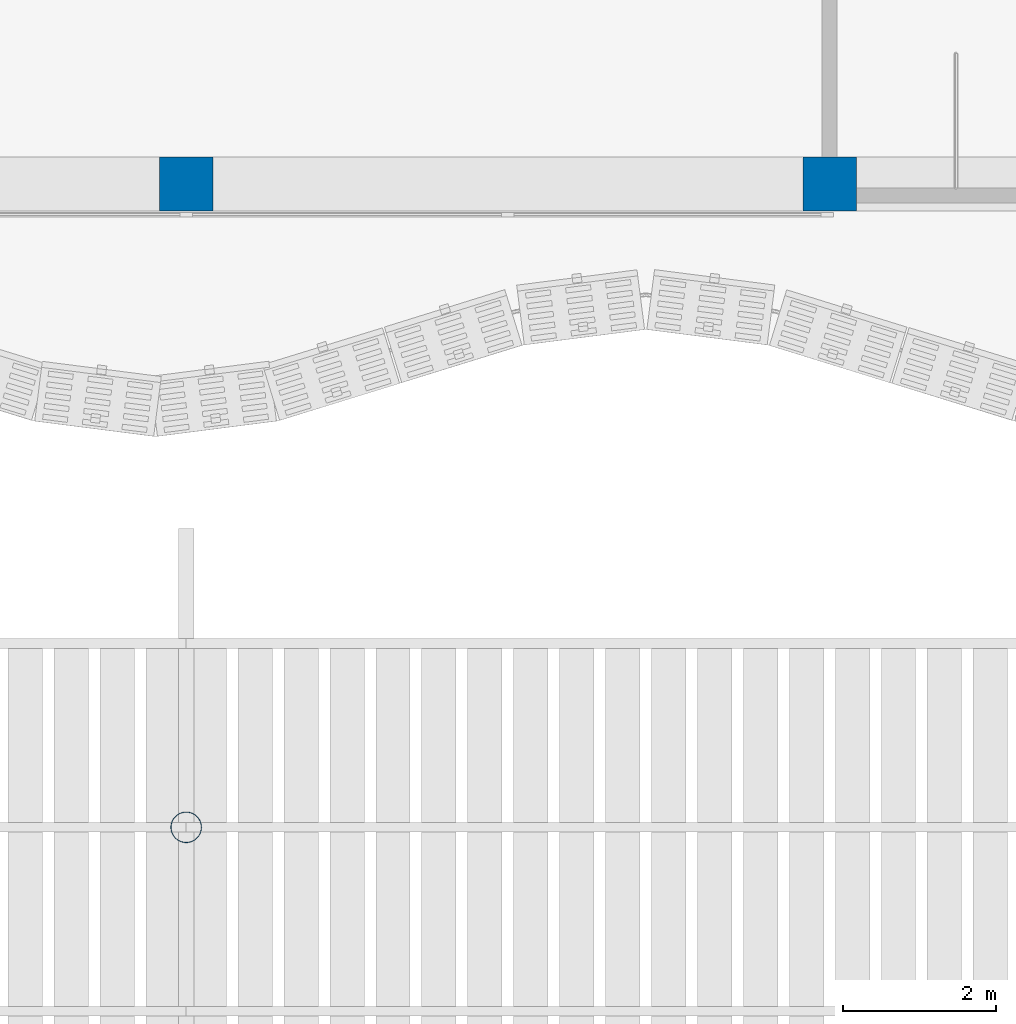
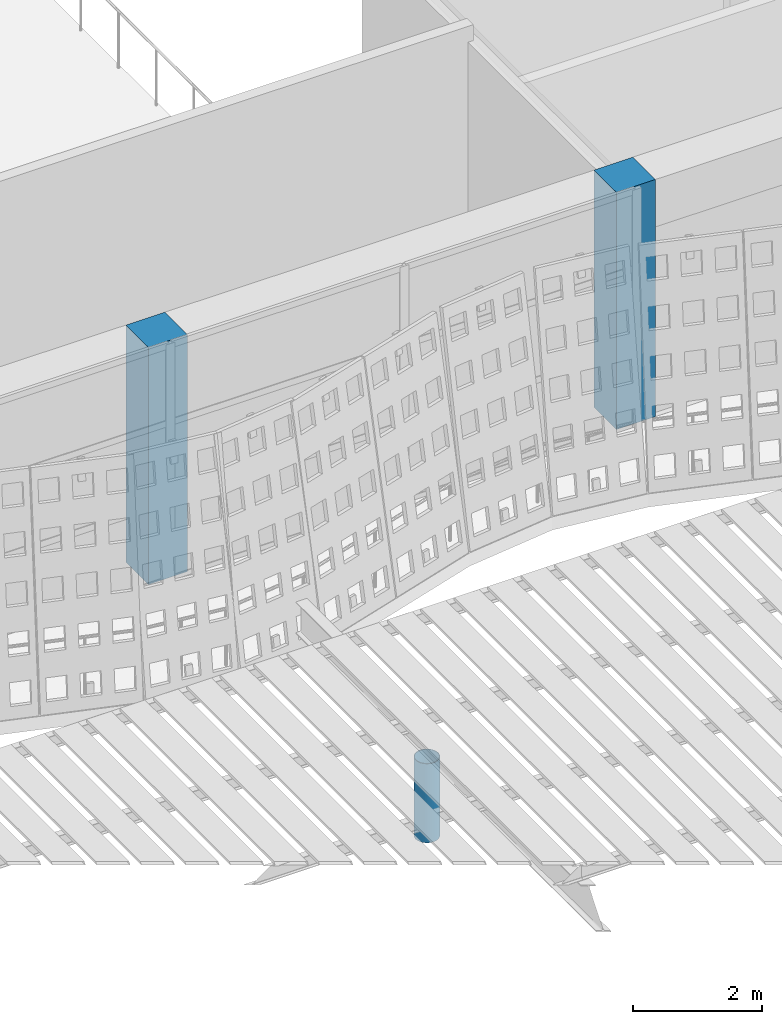
# One storey, part 8 of 162: 3 columns.
"""IFC4 building model written with IfcOpenShell, lengths in metres."""

from ifc_helpers import new_model, si_unit, direction, frame, origin, origin_2d, place, context, subcontext, project, spatial, rectangle, hollow_circle, extrude, material, material_profile, profile_set, type_object, element, save


model = new_model("IFC4")

# Units and contexts
model_context = context("Model", 3, precision=1e-05, world=origin(), true_north=direction((0.0, 1.0)))
body_context = subcontext(model_context, "Body", "Model", "MODEL_VIEW")
ifc_project = project(units=[si_unit("LENGTHUNIT", "METRE"), si_unit("AREAUNIT", "SQUARE_METRE"), si_unit("VOLUMEUNIT", "CUBIC_METRE"), si_unit("PLANEANGLEUNIT", "RADIAN"), si_unit("MASSUNIT", "GRAM", prefix="KILO")], contexts=[model_context])

# Site, building, storey
site_placement = place(None, origin())
site = spatial("IfcSite", under=ifc_project, at=site_placement, CompositionType="ELEMENT")
building_placement = place(site_placement, origin())
building = spatial("IfcBuilding", under=site, at=building_placement, Name="Rain Tree Exposition and Congress Centre", CompositionType="ELEMENT")
storey_placement = place(building_placement, frame((0.0, 0.0, 6.0)))
storey = spatial("IfcBuildingStorey", under=building, at=storey_placement, Name="L01", CompositionType="ELEMENT", Elevation=6.0)

# Columns
ifc_material_1 = material(Name="Precast concrete C50/60", Category="concrete")
ifc_material_profile_1 = material_profile(ifc_material_1, rectangle(XDim=0.699951171875, YDim=0.699951171875, at=origin_2d()), Name="RC 700x700")
ifc_profile_set_1 = profile_set([ifc_material_profile_1], Name="Precast concrete C50/60")
column_type_1 = type_object("IfcColumnType", Name="Precast column 700x700", PredefinedType="COLUMN", material=ifc_profile_set_1)
for number, where, z_axis, x_axis, name in (
    (1, (109.199951171875, 75.60009765625, 0.0), (0.0, 0.0, 1.0), (1.0, 0.0, 0.0), "Concourse column L01 A14"),
    (2, (117.60009765625, 75.60009765625, 0.0), (0.0, 0.0, 1.0), (1.0, 0.0, 0.0), "Concourse column L01 A15"),
):
    element("IfcColumn", number, at=place(storey_placement, frame(where, z_axis=z_axis, x_axis=x_axis)), inside=storey, type_object=column_type_1, Name=name, PredefinedType="COLUMN", context=body_context, shape_type="SweptSolid", body=[
        extrude(rectangle(XDim=0.699951171875, YDim=0.699951171875, at=origin_2d()), origin(), (0.0, 0.0, 1.0), 4.5),
    ])
ifc_material_2 = material(Name="Steel S355J2H", Category="steel")
ifc_material_profile_2 = material_profile(ifc_material_2, hollow_circle(Radius=0.203125, WallThickness=0.009033203125, at=origin_2d()), Name="CHS 406.4x9")
ifc_profile_set_2 = profile_set([ifc_material_profile_2], Name="Steel S355J2H")
column_type_2 = type_object("IfcColumnType", Name="Steel column CHS 406.4x9", PredefinedType="COLUMN", material=ifc_profile_set_2)
column_placement = place(storey_placement, frame((109.199951171875, 67.199951171875, 0.0), z_axis=(0.0, 0.0, 1.0), x_axis=(1.0, 0.0, 0.0)))
element("IfcColumn", 3, at=column_placement, inside=storey, type_object=column_type_2, Name="Rain tree column 8", PredefinedType="COLUMN", context=body_context, shape_type="SweptSolid", body=[
    extrude(hollow_circle(Radius=0.203125, WallThickness=0.009033203125, at=origin_2d()), origin(), (0.0, 0.0, 1.0), 1.5),
])

save(model, "model.ifc")
